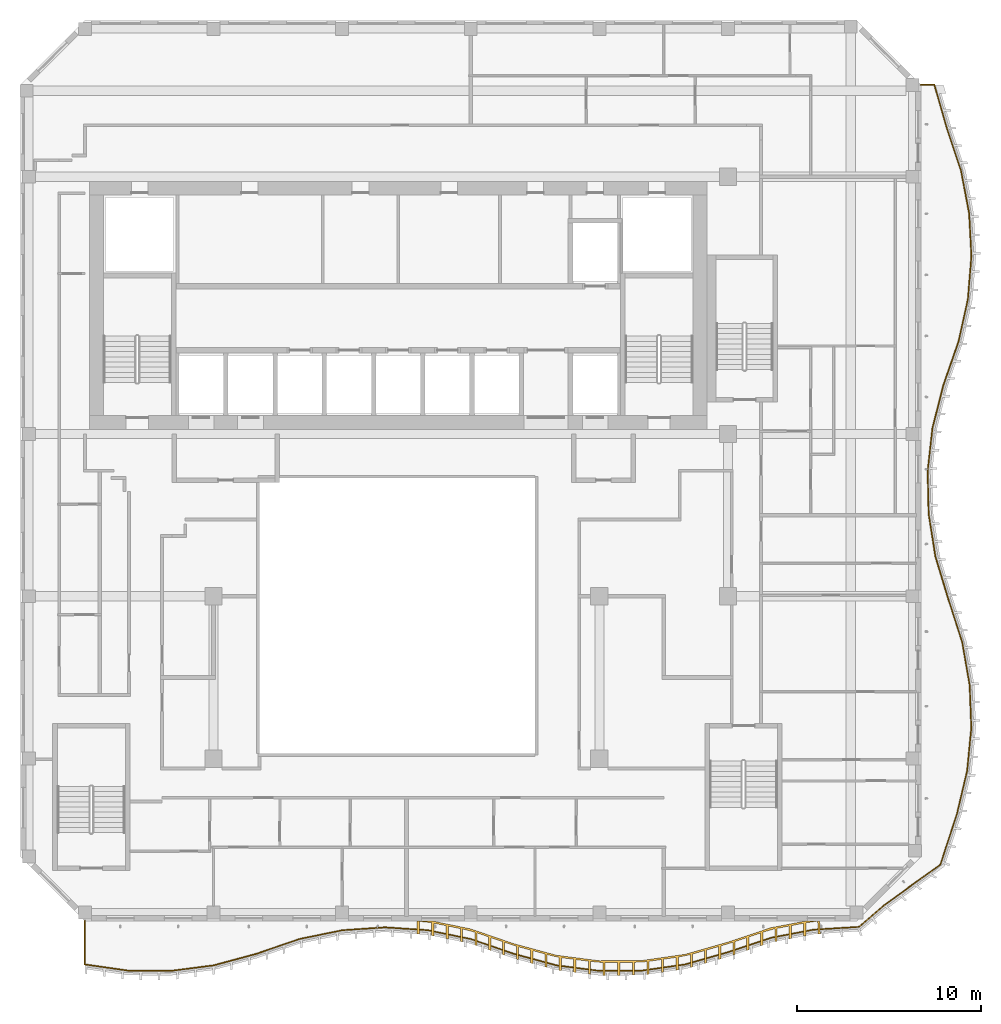
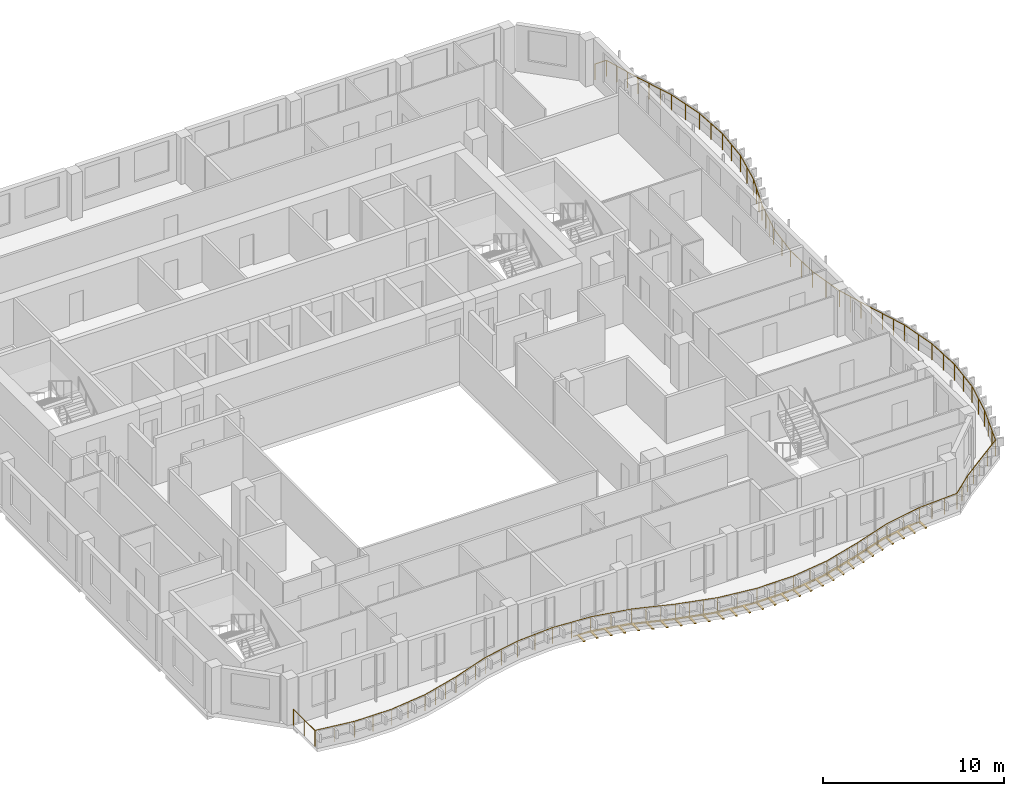
# One storey, part 15 of 18: 1 railing, 1 shading device.
"""IFC4 building model written with IfcOpenShell, lengths in metres."""

from ifc_helpers import new_model, si_unit, direction, frame, origin, origin_2d, place, context, subcontext, project, spatial, polyline, circle, outline, extrude, source, transform, mapped, material, layer, layer_set, type_object, element, save


model = new_model("IFC4")

# Units and contexts
model_context = context("Model", 3, precision=1e-05, world=origin(), true_north=direction((0.0, 1.0)))
body_context = subcontext(model_context, "Body", "Model", "MODEL_VIEW")
ifc_project = project(units=[si_unit("LENGTHUNIT", "METRE"), si_unit("AREAUNIT", "SQUARE_METRE"), si_unit("VOLUMEUNIT", "CUBIC_METRE"), si_unit("PLANEANGLEUNIT", "RADIAN"), si_unit("MASSUNIT", "GRAM", prefix="KILO")], contexts=[model_context])

# Site, building, storey
site_placement = place(None, origin())
site = spatial("IfcSite", under=ifc_project, at=site_placement, CompositionType="ELEMENT")
building_placement = place(site_placement, origin())
building = spatial("IfcBuilding", under=site, at=building_placement, Name="Kilnfold Tower and Market Hall", CompositionType="ELEMENT")
storey_placement = place(building_placement, frame((0.0, 0.0, 249.199951171875)))
storey = spatial("IfcBuildingStorey", under=building, at=storey_placement, Name="L60", CompositionType="ELEMENT", Elevation=249.199951171875)

# Railing
ifc_material_1 = material(Name="Stainless steel and laminated glass", Category="steel")
railing_type = type_object("IfcRailingType", Name="GUARD 1100", PredefinedType="GUARDRAIL", material=ifc_material_1)
railing_placement = place(storey_placement, frame((-16.0, -18.5, 0.0)))
element("IfcRailing", 1, at=railing_placement, inside=storey, type_object=railing_type, Name="Guard balcony L60", PredefinedType="GUARDRAIL", context=body_context, shape_type="SweptSolid", body=[
    extrude(circle(Radius=0.02490234375, at=origin_2d()), frame((0.0, 0.0, 1.0751953125), z_axis=(0.0, -1.0, 0.0), x_axis=(1.0, 0.0, 0.0)), (0.0, 0.0, 1.0), 2.367431640625),
    extrude(circle(Radius=0.02490234375, at=origin_2d()), frame((0.0, -2.367431640625, 1.0751953125), z_axis=(0.989895561273, -0.141798370135, 0.0), x_axis=(0.141798370135, 0.989895561273, 0.0)), (0.0, 0.0, 1.0), 2.357177734375),
    extrude(circle(Radius=0.02490234375, at=origin_2d()), frame((2.333251953125, -2.70166015625, 1.0751953125), z_axis=(0.999971628489, -0.007532742964, 0.0), x_axis=(0.007532742964, 0.999971628489, 0.0)), (0.0, 0.0, 1.0), 2.33349609375),
    extrude(circle(Radius=0.02490234375, at=origin_2d()), frame((4.666748046875, -2.71923828125, 1.0751953125), z_axis=(0.99192423952, 0.126831790383, 0.0), x_axis=(-0.126831790383, 0.99192423952, 0.0)), (0.0, 0.0, 1.0), 2.352294921875),
    extrude(circle(Radius=0.02490234375, at=origin_2d()), frame((7.0, -2.4208984375, 1.0751953125), z_axis=(0.965337259398, 0.261005700354, 0.0), x_axis=(-0.261005700354, 0.965337259398, 0.0)), (0.0, 0.0, 1.0), 2.4169921875),
    extrude(circle(Radius=0.02490234375, at=origin_2d()), frame((9.333251953125, -1.7900390625, 1.0751953125), z_axis=(0.945673291231, 0.325118480329, 0.0), x_axis=(-0.325118480329, 0.945673291231, 0.0)), (0.0, 0.0, 1.0), 2.467529296875),
    extrude(circle(Radius=0.02490234375, at=origin_2d()), frame((11.666748046875, -0.98779296875, 1.0751953125), z_axis=(0.979469543954, 0.201592193466, 0.0), x_axis=(-0.201592193466, 0.979469543954, 0.0)), (0.0, 0.0, 1.0), 2.382080078125),
    extrude(circle(Radius=0.02490234375, at=origin_2d()), frame((14.0, -0.507568359375, 1.0751953125), z_axis=(0.99773031424, 0.06733661742, 0.0), x_axis=(-0.06733661742, 0.99773031424, 0.0)), (0.0, 0.0, 1.0), 2.338623046875),
    extrude(circle(Radius=0.02490234375, at=origin_2d()), frame((16.333251953125, -0.35009765625, 1.0751953125), z_axis=(0.997765715392, -0.066810008145, 0.0), x_axis=(0.066810008145, 0.997765715392, 0.0)), (0.0, 0.0, 1.0), 2.338623046875),
    extrude(circle(Radius=0.02490234375, at=origin_2d()), frame((18.666748046875, -0.50634765625, 1.0751953125), z_axis=(0.979550417404, -0.201198856269, 0.0), x_axis=(0.201198856269, 0.979550417404, 0.0)), (0.0, 0.0, 1.0), 2.382080078125),
    extrude(circle(Radius=0.02490234375, at=origin_2d()), frame((21.0, -0.985595703125, 1.0751953125), z_axis=(0.945754078671, -0.324883398585, 0.0), x_axis=(0.324883398585, 0.945754078671, 0.0)), (0.0, 0.0, 1.0), 2.467041015625),
    extrude(circle(Radius=0.02490234375, at=origin_2d()), frame((23.333251953125, -1.787109375, 1.0751953125), z_axis=(0.965216815859, -0.261450757089, 0.0), x_axis=(0.261450757089, 0.965216815859, 0.0)), (0.0, 0.0, 1.0), 2.41748046875),
    extrude(circle(Radius=0.02490234375, at=origin_2d()), frame((25.666748046875, -2.419189453125, 1.0751953125), z_axis=(0.991871927753, -0.12724024102, 0.0), x_axis=(0.12724024102, 0.991871927753, 0.0)), (0.0, 0.0, 1.0), 2.352294921875),
    extrude(circle(Radius=0.02490234375, at=origin_2d()), frame((28.0, -2.718505859375, 1.0751953125), z_axis=(0.999976154899, 0.006905768151, 0.0), x_axis=(-0.006905768151, 0.999976154899, 0.0)), (0.0, 0.0, 1.0), 2.333251953125),
    extrude(circle(Radius=0.02490234375, at=origin_2d()), frame((30.333251953125, -2.702392578125, 1.0751953125), z_axis=(0.989970198048, 0.141276349669, 0.0), x_axis=(-0.141276349669, 0.989970198048, 0.0)), (0.0, 0.0, 1.0), 2.357177734375),
    extrude(circle(Radius=0.02490234375, at=origin_2d()), frame((32.666748046875, -2.369384765625, 1.0751953125), z_axis=(0.961273038942, 0.275597794988, 0.0), x_axis=(-0.275597794988, 0.961273038942, 0.0)), (0.0, 0.0, 1.0), 2.42724609375),
    extrude(circle(Radius=0.02490234375, at=origin_2d()), frame((35.0, -1.700439453125, 1.0751953125), z_axis=(0.948315517581, 0.317328976167, 0.0), x_axis=(-0.317328976167, 0.948315517581, 0.0)), (0.0, 0.0, 1.0), 2.46044921875),
    extrude(circle(Radius=0.02490234375, at=origin_2d()), frame((37.333251953125, -0.919677734375, 1.0751953125), z_axis=(0.982349359821, 0.187055433655, 0.0), x_axis=(-0.187055433655, 0.982349359821, 0.0)), (0.0, 0.0, 1.0), 2.37548828125),
    extrude(circle(Radius=0.02490234375, at=origin_2d()), frame((39.666748046875, -0.475341796875, 1.0751953125), z_axis=(0.998148203241, 0.060828976375, 0.0), x_axis=(-0.060828976375, 0.998148203241, 0.0)), (0.0, 0.0, 1.0), 2.472412109375),
    extrude(circle(Radius=0.02490234375, at=origin_2d()), frame((42.134521484375, -0.324951171875, 1.0751953125), z_axis=(0.756166085744, 0.654379745079, 0.0), x_axis=(-0.654379745079, 0.756166085744, 0.0)), (0.0, 0.0, 1.0), 1.789306640625),
    extrude(circle(Radius=0.02490234375, at=origin_2d()), frame((43.487548828125, 0.845947265625, 1.0751953125), z_axis=(0.809045692542, 0.587745750626, 0.0), x_axis=(-0.587745750626, 0.809045692542, 0.0)), (0.0, 0.0, 1.0), 1.670166015625),
    extrude(circle(Radius=0.02490234375, at=origin_2d()), frame((44.8388671875, 1.82763671875, 1.0751953125), z_axis=(0.81192818967, 0.583757325281, 0.0), x_axis=(-0.583757325281, 0.81192818967, 0.0)), (0.0, 0.0, 1.0), 2.115478515625),
    extrude(circle(Radius=0.02490234375, at=origin_2d()), frame((46.556396484375, 3.0625, 1.0751953125), z_axis=(0.311098196184, 0.950377773483, 0.0), x_axis=(-0.950377773483, 0.311098196184, 0.0)), (0.0, 0.0, 1.0), 2.91552734375),
    extrude(circle(Radius=0.02490234375, at=origin_2d()), frame((47.46337890625, 5.833251953125, 1.0751953125), z_axis=(0.230684535905, 0.973028594078, 0.0), x_axis=(-0.973028594078, 0.230684535905, 0.0)), (0.0, 0.0, 1.0), 2.398193359375),
    extrude(circle(Radius=0.02490234375, at=origin_2d()), frame((48.0166015625, 8.166748046875, 1.0751953125), z_axis=(0.09644068921, 0.995338733027, 0.0), x_axis=(-0.995338733027, 0.09644068921, 0.0)), (0.0, 0.0, 1.0), 2.34423828125),
    extrude(circle(Radius=0.02490234375, at=origin_2d()), frame((48.24267578125, 10.5, 1.0751953125), z_axis=(-0.037850851806, 0.999283399751, 0.0), x_axis=(-0.999283399751, -0.037850851806, 0.0)), (0.0, 0.0, 1.0), 2.3349609375),
    extrude(circle(Radius=0.02490234375, at=origin_2d()), frame((48.154296875, 12.833251953125, 1.0751953125), z_axis=(-0.172115324053, 0.985076806765, 0.0), x_axis=(-0.985076806765, -0.172115324053, 0.0)), (0.0, 0.0, 1.0), 2.368896484375),
    extrude(circle(Radius=0.02490234375, at=origin_2d()), frame((47.74658203125, 15.166748046875, 1.0751953125), z_axis=(-0.305928563149, 0.952054470211, 0.0), x_axis=(-0.952054470211, -0.305928563149, 0.0)), (0.0, 0.0, 1.0), 2.45068359375),
    extrude(circle(Radius=0.02490234375, at=origin_2d()), frame((46.996826171875, 17.5, 1.0751953125), z_axis=(-0.290551994685, 0.9568592051, 0.0), x_axis=(-0.9568592051, -0.290551994685, 0.0)), (0.0, 0.0, 1.0), 2.4384765625),
    extrude(circle(Radius=0.02490234375, at=origin_2d()), frame((46.288330078125, 19.833251953125, 1.0751953125), z_axis=(-0.156249124184, 0.987717677878, 0.0), x_axis=(-0.987717677878, -0.156249124184, 0.0)), (0.0, 0.0, 1.0), 2.362548828125),
    extrude(circle(Radius=0.02490234375, at=origin_2d()), frame((45.919189453125, 22.166748046875, 1.0751953125), z_axis=(-0.022072679063, 0.999756368741, 0.0), x_axis=(-0.999756368741, -0.022072679063, 0.0)), (0.0, 0.0, 1.0), 2.333740234375),
    extrude(circle(Radius=0.02490234375, at=origin_2d()), frame((45.86767578125, 24.5, 1.0751953125), z_axis=(0.112188780703, 0.993686911197, 0.0), x_axis=(-0.993686911197, 0.112188780703, 0.0)), (0.0, 0.0, 1.0), 2.34814453125),
    extrude(circle(Radius=0.02490234375, at=origin_2d()), frame((46.131103515625, 26.833251953125, 1.0751953125), z_axis=(0.246494018044, 0.969144312819, 0.0), x_axis=(-0.969144312819, 0.246494018044, 0.0)), (0.0, 0.0, 1.0), 2.40771484375),
    extrude(circle(Radius=0.02490234375, at=origin_2d()), frame((46.724609375, 29.166748046875, 1.0751953125), z_axis=(0.329826773336, 0.94404147133, 0.0), x_axis=(-0.94404147133, 0.329826773336, 0.0)), (0.0, 0.0, 1.0), 2.471435546875),
    extrude(circle(Radius=0.02490234375, at=origin_2d()), frame((47.539794921875, 31.5, 1.0751953125), z_axis=(0.216173197439, 0.976355032101, 0.0), x_axis=(-0.976355032101, 0.216173197439, 0.0)), (0.0, 0.0, 1.0), 2.3896484375),
    extrude(circle(Radius=0.02490234375, at=origin_2d()), frame((48.056396484375, 33.833251953125, 1.0751953125), z_axis=(0.081854547458, 0.996644286122, 0.0), x_axis=(-0.996644286122, 0.081854547458, 0.0)), (0.0, 0.0, 1.0), 2.34130859375),
    extrude(circle(Radius=0.02490234375, at=origin_2d()), frame((48.248046875, 36.166748046875, 1.0751953125), z_axis=(-0.052350425547, 0.998628776345, 0.0), x_axis=(-0.998628776345, -0.052350425547, 0.0)), (0.0, 0.0, 1.0), 2.33642578125),
    extrude(circle(Radius=0.02490234375, at=origin_2d()), frame((48.125732421875, 38.5, 1.0751953125), z_axis=(-0.186578295678, 0.982440094653, 0.0), x_axis=(-0.982440094653, -0.186578295678, 0.0)), (0.0, 0.0, 1.0), 2.375),
    extrude(circle(Radius=0.02490234375, at=origin_2d()), frame((47.6826171875, 40.833251953125, 1.0751953125), z_axis=(-0.317031394089, 0.948415043724, 0.0), x_axis=(-0.948415043724, -0.317031394089, 0.0)), (0.0, 0.0, 1.0), 2.46044921875),
    extrude(circle(Radius=0.02490234375, at=origin_2d()), frame((46.902587890625, 43.166748046875, 1.0751953125), z_axis=(-0.276062415489, 0.96113971032, 0.0), x_axis=(-0.96113971032, -0.276062415489, 0.0)), (0.0, 0.0, 1.0), 2.427490234375),
    extrude(circle(Radius=0.02490234375, at=origin_2d()), frame((46.232421875, 45.5, 1.0751953125), z_axis=(-1.0, 0.0, 0.0), x_axis=(0.0, -1.0, 0.0)), (0.0, 0.0, 1.0), 0.732421875),
    extrude(circle(Radius=0.02490234375, at=origin_2d()), origin(), (0.0, 0.0, 1.0), 1.050048828125),
    extrude(circle(Radius=0.02490234375, at=origin_2d()), frame((0.0, -1.18359375, 0.0)), (0.0, 0.0, 1.0), 1.050048828125),
    extrude(circle(Radius=0.02490234375, at=origin_2d()), frame((0.0, -2.367431640625, 0.0)), (0.0, 0.0, 1.0), 1.050048828125),
    extrude(circle(Radius=0.02490234375, at=origin_2d()), frame((1.16650390625, -2.53466796875, 0.0)), (0.0, 0.0, 1.0), 1.050048828125),
    extrude(circle(Radius=0.02490234375, at=origin_2d()), frame((2.333251953125, -2.70166015625, 0.0)), (0.0, 0.0, 1.0), 1.050048828125),
    extrude(circle(Radius=0.02490234375, at=origin_2d()), frame((3.5, -2.71044921875, 0.0)), (0.0, 0.0, 1.0), 1.050048828125),
    extrude(circle(Radius=0.02490234375, at=origin_2d()), frame((4.666748046875, -2.71923828125, 0.0)), (0.0, 0.0, 1.0), 1.050048828125),
    extrude(circle(Radius=0.02490234375, at=origin_2d()), frame((5.83349609375, -2.570068359375, 0.0)), (0.0, 0.0, 1.0), 1.050048828125),
    extrude(circle(Radius=0.02490234375, at=origin_2d()), frame((7.0, -2.4208984375, 0.0)), (0.0, 0.0, 1.0), 1.050048828125),
    extrude(circle(Radius=0.02490234375, at=origin_2d()), frame((7.77783203125, -2.210693359375, 0.0)), (0.0, 0.0, 1.0), 1.050048828125),
    extrude(circle(Radius=0.02490234375, at=origin_2d()), frame((8.555419921875, -2.000244140625, 0.0)), (0.0, 0.0, 1.0), 1.050048828125),
    extrude(circle(Radius=0.02490234375, at=origin_2d()), frame((9.333251953125, -1.7900390625, 0.0)), (0.0, 0.0, 1.0), 1.050048828125),
    extrude(circle(Radius=0.02490234375, at=origin_2d()), frame((10.111083984375, -1.522705078125, 0.0)), (0.0, 0.0, 1.0), 1.050048828125),
    extrude(circle(Radius=0.02490234375, at=origin_2d()), frame((10.888916015625, -1.255126953125, 0.0)), (0.0, 0.0, 1.0), 1.050048828125),
    extrude(circle(Radius=0.02490234375, at=origin_2d()), frame((11.666748046875, -0.98779296875, 0.0)), (0.0, 0.0, 1.0), 1.050048828125),
    extrude(circle(Radius=0.02490234375, at=origin_2d()), frame((12.83349609375, -0.74755859375, 0.0)), (0.0, 0.0, 1.0), 1.050048828125),
    extrude(circle(Radius=0.02490234375, at=origin_2d()), frame((14.0, -0.507568359375, 0.0)), (0.0, 0.0, 1.0), 1.050048828125),
    extrude(circle(Radius=0.02490234375, at=origin_2d()), frame((15.16650390625, -0.4287109375, 0.0)), (0.0, 0.0, 1.0), 1.050048828125),
    extrude(circle(Radius=0.02490234375, at=origin_2d()), frame((16.333251953125, -0.35009765625, 0.0)), (0.0, 0.0, 1.0), 1.050048828125),
    extrude(circle(Radius=0.02490234375, at=origin_2d()), frame((17.5, -0.42822265625, 0.0)), (0.0, 0.0, 1.0), 1.050048828125),
    extrude(circle(Radius=0.02490234375, at=origin_2d()), frame((18.666748046875, -0.50634765625, 0.0)), (0.0, 0.0, 1.0), 1.050048828125),
    extrude(circle(Radius=0.02490234375, at=origin_2d()), frame((19.83349609375, -0.74609375, 0.0)), (0.0, 0.0, 1.0), 1.050048828125),
    extrude(circle(Radius=0.02490234375, at=origin_2d()), frame((21.0, -0.985595703125, 0.0)), (0.0, 0.0, 1.0), 1.050048828125),
    extrude(circle(Radius=0.02490234375, at=origin_2d()), frame((21.77783203125, -1.252685546875, 0.0)), (0.0, 0.0, 1.0), 1.050048828125),
    extrude(circle(Radius=0.02490234375, at=origin_2d()), frame((22.555419921875, -1.52001953125, 0.0)), (0.0, 0.0, 1.0), 1.050048828125),
    extrude(circle(Radius=0.02490234375, at=origin_2d()), frame((23.333251953125, -1.787109375, 0.0)), (0.0, 0.0, 1.0), 1.050048828125),
    extrude(circle(Radius=0.02490234375, at=origin_2d()), frame((24.111083984375, -1.997802734375, 0.0)), (0.0, 0.0, 1.0), 1.050048828125),
    extrude(circle(Radius=0.02490234375, at=origin_2d()), frame((24.888916015625, -2.20849609375, 0.0)), (0.0, 0.0, 1.0), 1.050048828125),
    extrude(circle(Radius=0.02490234375, at=origin_2d()), frame((25.666748046875, -2.419189453125, 0.0)), (0.0, 0.0, 1.0), 1.050048828125),
    extrude(circle(Radius=0.02490234375, at=origin_2d()), frame((26.83349609375, -2.56884765625, 0.0)), (0.0, 0.0, 1.0), 1.050048828125),
    extrude(circle(Radius=0.02490234375, at=origin_2d()), frame((28.0, -2.718505859375, 0.0)), (0.0, 0.0, 1.0), 1.050048828125),
    extrude(circle(Radius=0.02490234375, at=origin_2d()), frame((29.16650390625, -2.71044921875, 0.0)), (0.0, 0.0, 1.0), 1.050048828125),
    extrude(circle(Radius=0.02490234375, at=origin_2d()), frame((30.333251953125, -2.702392578125, 0.0)), (0.0, 0.0, 1.0), 1.050048828125),
    extrude(circle(Radius=0.02490234375, at=origin_2d()), frame((31.5, -2.535888671875, 0.0)), (0.0, 0.0, 1.0), 1.050048828125),
    extrude(circle(Radius=0.02490234375, at=origin_2d()), frame((32.666748046875, -2.369384765625, 0.0)), (0.0, 0.0, 1.0), 1.050048828125),
    extrude(circle(Radius=0.02490234375, at=origin_2d()), frame((33.444580078125, -2.146484375, 0.0)), (0.0, 0.0, 1.0), 1.050048828125),
    extrude(circle(Radius=0.02490234375, at=origin_2d()), frame((34.22216796875, -1.92333984375, 0.0)), (0.0, 0.0, 1.0), 1.050048828125),
    extrude(circle(Radius=0.02490234375, at=origin_2d()), frame((35.0, -1.700439453125, 0.0)), (0.0, 0.0, 1.0), 1.050048828125),
    extrude(circle(Radius=0.02490234375, at=origin_2d()), frame((35.77783203125, -1.440185546875, 0.0)), (0.0, 0.0, 1.0), 1.050048828125),
    extrude(circle(Radius=0.02490234375, at=origin_2d()), frame((36.555419921875, -1.179931640625, 0.0)), (0.0, 0.0, 1.0), 1.050048828125),
    extrude(circle(Radius=0.02490234375, at=origin_2d()), frame((37.333251953125, -0.919677734375, 0.0)), (0.0, 0.0, 1.0), 1.050048828125),
    extrude(circle(Radius=0.02490234375, at=origin_2d()), frame((38.5, -0.697509765625, 0.0)), (0.0, 0.0, 1.0), 1.050048828125),
    extrude(circle(Radius=0.02490234375, at=origin_2d()), frame((39.666748046875, -0.475341796875, 0.0)), (0.0, 0.0, 1.0), 1.050048828125),
    extrude(circle(Radius=0.02490234375, at=origin_2d()), frame((40.4892578125, -0.42529296875, 0.0)), (0.0, 0.0, 1.0), 1.050048828125),
    extrude(circle(Radius=0.02490234375, at=origin_2d()), frame((41.31201171875, -0.375, 0.0)), (0.0, 0.0, 1.0), 1.050048828125),
    extrude(circle(Radius=0.02490234375, at=origin_2d()), frame((42.134521484375, -0.324951171875, 0.0)), (0.0, 0.0, 1.0), 1.050048828125),
    extrude(circle(Radius=0.02490234375, at=origin_2d()), frame((42.81103515625, 0.260498046875, 0.0)), (0.0, 0.0, 1.0), 1.050048828125),
    extrude(circle(Radius=0.02490234375, at=origin_2d()), frame((43.487548828125, 0.845947265625, 0.0)), (0.0, 0.0, 1.0), 1.050048828125),
    extrude(circle(Radius=0.02490234375, at=origin_2d()), frame((44.1630859375, 1.3369140625, 0.0)), (0.0, 0.0, 1.0), 1.050048828125),
    extrude(circle(Radius=0.02490234375, at=origin_2d()), frame((44.8388671875, 1.82763671875, 0.0)), (0.0, 0.0, 1.0), 1.050048828125),
    extrude(circle(Radius=0.02490234375, at=origin_2d()), frame((45.69775390625, 2.445068359375, 0.0)), (0.0, 0.0, 1.0), 1.050048828125),
    extrude(circle(Radius=0.02490234375, at=origin_2d()), frame((46.556396484375, 3.0625, 0.0)), (0.0, 0.0, 1.0), 1.050048828125),
    extrude(circle(Radius=0.02490234375, at=origin_2d()), frame((46.858642578125, 3.986083984375, 0.0)), (0.0, 0.0, 1.0), 1.050048828125),
    extrude(circle(Radius=0.02490234375, at=origin_2d()), frame((47.1611328125, 4.90966796875, 0.0)), (0.0, 0.0, 1.0), 1.050048828125),
    extrude(circle(Radius=0.02490234375, at=origin_2d()), frame((47.46337890625, 5.833251953125, 0.0)), (0.0, 0.0, 1.0), 1.050048828125),
    extrude(circle(Radius=0.02490234375, at=origin_2d()), frame((47.739990234375, 7.0, 0.0)), (0.0, 0.0, 1.0), 1.050048828125),
    extrude(circle(Radius=0.02490234375, at=origin_2d()), frame((48.0166015625, 8.166748046875, 0.0)), (0.0, 0.0, 1.0), 1.050048828125),
    extrude(circle(Radius=0.02490234375, at=origin_2d()), frame((48.129638671875, 9.33349609375, 0.0)), (0.0, 0.0, 1.0), 1.050048828125),
    extrude(circle(Radius=0.02490234375, at=origin_2d()), frame((48.24267578125, 10.5, 0.0)), (0.0, 0.0, 1.0), 1.050048828125),
    extrude(circle(Radius=0.02490234375, at=origin_2d()), frame((48.198486328125, 11.66650390625, 0.0)), (0.0, 0.0, 1.0), 1.050048828125),
    extrude(circle(Radius=0.02490234375, at=origin_2d()), frame((48.154296875, 12.833251953125, 0.0)), (0.0, 0.0, 1.0), 1.050048828125),
    extrude(circle(Radius=0.02490234375, at=origin_2d()), frame((47.950439453125, 14.0, 0.0)), (0.0, 0.0, 1.0), 1.050048828125),
    extrude(circle(Radius=0.02490234375, at=origin_2d()), frame((47.74658203125, 15.166748046875, 0.0)), (0.0, 0.0, 1.0), 1.050048828125),
    extrude(circle(Radius=0.02490234375, at=origin_2d()), frame((47.49658203125, 15.944580078125, 0.0)), (0.0, 0.0, 1.0), 1.050048828125),
    extrude(circle(Radius=0.02490234375, at=origin_2d()), frame((47.246826171875, 16.72216796875, 0.0)), (0.0, 0.0, 1.0), 1.050048828125),
    extrude(circle(Radius=0.02490234375, at=origin_2d()), frame((46.996826171875, 17.5, 0.0)), (0.0, 0.0, 1.0), 1.050048828125),
    extrude(circle(Radius=0.02490234375, at=origin_2d()), frame((46.7607421875, 18.27783203125, 0.0)), (0.0, 0.0, 1.0), 1.050048828125),
    extrude(circle(Radius=0.02490234375, at=origin_2d()), frame((46.5244140625, 19.055419921875, 0.0)), (0.0, 0.0, 1.0), 1.050048828125),
    extrude(circle(Radius=0.02490234375, at=origin_2d()), frame((46.288330078125, 19.833251953125, 0.0)), (0.0, 0.0, 1.0), 1.050048828125),
    extrude(circle(Radius=0.02490234375, at=origin_2d()), frame((46.103759765625, 21.0, 0.0)), (0.0, 0.0, 1.0), 1.050048828125),
    extrude(circle(Radius=0.02490234375, at=origin_2d()), frame((45.919189453125, 22.166748046875, 0.0)), (0.0, 0.0, 1.0), 1.050048828125),
    extrude(circle(Radius=0.02490234375, at=origin_2d()), frame((45.8935546875, 23.33349609375, 0.0)), (0.0, 0.0, 1.0), 1.050048828125),
    extrude(circle(Radius=0.02490234375, at=origin_2d()), frame((45.86767578125, 24.5, 0.0)), (0.0, 0.0, 1.0), 1.050048828125),
    extrude(circle(Radius=0.02490234375, at=origin_2d()), frame((45.99951171875, 25.66650390625, 0.0)), (0.0, 0.0, 1.0), 1.050048828125),
    extrude(circle(Radius=0.02490234375, at=origin_2d()), frame((46.131103515625, 26.833251953125, 0.0)), (0.0, 0.0, 1.0), 1.050048828125),
    extrude(circle(Radius=0.02490234375, at=origin_2d()), frame((46.328857421875, 27.611083984375, 0.0)), (0.0, 0.0, 1.0), 1.050048828125),
    extrude(circle(Radius=0.02490234375, at=origin_2d()), frame((46.52685546875, 28.388916015625, 0.0)), (0.0, 0.0, 1.0), 1.050048828125),
    extrude(circle(Radius=0.02490234375, at=origin_2d()), frame((46.724609375, 29.166748046875, 0.0)), (0.0, 0.0, 1.0), 1.050048828125),
    extrude(circle(Radius=0.02490234375, at=origin_2d()), frame((46.996337890625, 29.944580078125, 0.0)), (0.0, 0.0, 1.0), 1.050048828125),
    extrude(circle(Radius=0.02490234375, at=origin_2d()), frame((47.26806640625, 30.72216796875, 0.0)), (0.0, 0.0, 1.0), 1.050048828125),
    extrude(circle(Radius=0.02490234375, at=origin_2d()), frame((47.539794921875, 31.5, 0.0)), (0.0, 0.0, 1.0), 1.050048828125),
    extrude(circle(Radius=0.02490234375, at=origin_2d()), frame((47.798095703125, 32.66650390625, 0.0)), (0.0, 0.0, 1.0), 1.050048828125),
    extrude(circle(Radius=0.02490234375, at=origin_2d()), frame((48.056396484375, 33.833251953125, 0.0)), (0.0, 0.0, 1.0), 1.050048828125),
    extrude(circle(Radius=0.02490234375, at=origin_2d()), frame((48.15234375, 35.0, 0.0)), (0.0, 0.0, 1.0), 1.050048828125),
    extrude(circle(Radius=0.02490234375, at=origin_2d()), frame((48.248046875, 36.166748046875, 0.0)), (0.0, 0.0, 1.0), 1.050048828125),
    extrude(circle(Radius=0.02490234375, at=origin_2d()), frame((48.18701171875, 37.33349609375, 0.0)), (0.0, 0.0, 1.0), 1.050048828125),
    extrude(circle(Radius=0.02490234375, at=origin_2d()), frame((48.125732421875, 38.5, 0.0)), (0.0, 0.0, 1.0), 1.050048828125),
    extrude(circle(Radius=0.02490234375, at=origin_2d()), frame((47.904296875, 39.66650390625, 0.0)), (0.0, 0.0, 1.0), 1.050048828125),
    extrude(circle(Radius=0.02490234375, at=origin_2d()), frame((47.6826171875, 40.833251953125, 0.0)), (0.0, 0.0, 1.0), 1.050048828125),
    extrude(circle(Radius=0.02490234375, at=origin_2d()), frame((47.422607421875, 41.611083984375, 0.0)), (0.0, 0.0, 1.0), 1.050048828125),
    extrude(circle(Radius=0.02490234375, at=origin_2d()), frame((47.16259765625, 42.388916015625, 0.0)), (0.0, 0.0, 1.0), 1.050048828125),
    extrude(circle(Radius=0.02490234375, at=origin_2d()), frame((46.902587890625, 43.166748046875, 0.0)), (0.0, 0.0, 1.0), 1.050048828125),
    extrude(circle(Radius=0.02490234375, at=origin_2d()), frame((46.67919921875, 43.944580078125, 0.0)), (0.0, 0.0, 1.0), 1.050048828125),
    extrude(circle(Radius=0.02490234375, at=origin_2d()), frame((46.455810546875, 44.72216796875, 0.0)), (0.0, 0.0, 1.0), 1.050048828125),
    extrude(circle(Radius=0.02490234375, at=origin_2d()), frame((46.232421875, 45.5, 0.0)), (0.0, 0.0, 1.0), 1.050048828125),
    extrude(circle(Radius=0.02490234375, at=origin_2d()), frame((45.5, 45.5, 0.0)), (0.0, 0.0, 1.0), 1.050048828125),
])

# Shading device
ifc_material_2 = material(Name="Bronze anodised aluminium", Category="aluminium")
ifc_layer = layer(ifc_material_2, 0.080078125)
ifc_layer_set = layer_set([ifc_layer], Name="Bronze anodised aluminium")
shading_device_type = type_object("IfcShadingDeviceType", Name="BRONZE SLAT SOFFIT 80", PredefinedType="USERDEFINED", material=ifc_layer_set)
shared_shape = source(origin(), body_context, "Body", "SweptSolid", [
    extrude(outline(polyline([(5.0, -18.935546875), (7.333251953125, -19.737060546875), (9.666748046875, -20.369384765625), (12.0, -20.668701171875), (14.333251953125, -20.65234375), (16.666748046875, -20.3193359375), (19.0, -19.650390625), (21.333251953125, -18.86962890625), (23.2744140625, -18.5), (24.030517578125, -18.5), (23.988525390625, -18.502685546875), (24.026611328125, -19.201416015625), (23.90673828125, -19.20947265625), (23.881591796875, -18.510009765625), (23.235107421875, -18.607421875), (23.235107421875, -19.3076171875), (23.1171875, -19.330078125), (23.1171875, -18.6298828125), (22.44921875, -18.757080078125), (22.44921875, -19.457275390625), (22.331298828125, -19.4794921875), (22.331298828125, -18.779541015625), (21.663330078125, -18.90673828125), (21.663330078125, -19.606689453125), (21.54541015625, -19.62939453125), (21.54541015625, -18.92919921875), (20.893310546875, -19.116943359375), (20.893310546875, -19.81689453125), (20.779296875, -19.85498046875), (20.779296875, -19.155029296875), (20.134521484375, -19.370849609375), (20.134521484375, -20.07080078125), (20.020751953125, -20.10888671875), (20.020751953125, -19.408935546875), (19.3759765625, -19.624755859375), (19.3759765625, -20.32470703125), (19.26220703125, -20.36279296875), (19.26220703125, -19.662841796875), (18.612060546875, -19.86181640625), (18.612060546875, -20.561767578125), (18.49658203125, -20.5947265625), (18.49658203125, -19.894775390625), (17.843017578125, -20.08203125), (17.843017578125, -20.781982421875), (17.727783203125, -20.815185546875), (17.727783203125, -20.115234375), (17.073974609375, -20.302490234375), (17.073974609375, -21.002685546875), (16.95849609375, -21.03564453125), (16.95849609375, -20.335693359375), (16.294189453125, -20.472412109375), (16.294189453125, -21.172607421875), (16.17529296875, -21.189453125), (16.17529296875, -20.489501953125), (15.502197265625, -20.58544921875), (15.502197265625, -21.285400390625), (15.38330078125, -21.302490234375), (15.38330078125, -20.602294921875), (14.710205078125, -20.698486328125), (14.710205078125, -21.3984375), (14.59130859375, -21.41552734375), (14.59130859375, -20.715576171875), (13.9140625, -20.755126953125), (13.9140625, -21.455078125), (13.7939453125, -21.4560546875), (13.7939453125, -20.756103515625), (13.114013671875, -20.7607421875), (13.114013671875, -21.460693359375), (12.993896484375, -21.461669921875), (12.993896484375, -20.76171875), (12.314208984375, -20.766357421875), (12.314208984375, -21.46630859375), (12.194091796875, -21.46728515625), (12.194091796875, -20.76708984375), (11.51806640625, -20.706787109375), (11.51806640625, -21.40673828125), (11.39892578125, -21.3916015625), (11.39892578125, -20.69140625), (10.724609375, -20.60498046875), (10.724609375, -21.304931640625), (10.60546875, -21.289794921875), (10.60546875, -20.589599609375), (9.930908203125, -20.503173828125), (9.930908203125, -21.203125), (9.81201171875, -21.18798828125), (9.81201171875, -20.48779296875), (9.15185546875, -20.329833984375), (9.15185546875, -21.02978515625), (9.035888671875, -20.998291015625), (9.035888671875, -20.29833984375), (8.379638671875, -20.12060546875), (8.379638671875, -20.820556640625), (8.263916015625, -20.789306640625), (8.263916015625, -20.089111328125), (7.607421875, -19.911376953125), (7.607421875, -20.611328125), (7.49169921875, -20.580078125), (7.49169921875, -19.8798828125), (6.84521484375, -19.66943359375), (6.84521484375, -20.369384765625), (6.731689453125, -20.33056640625), (6.731689453125, -19.630615234375), (6.088623046875, -19.409423828125), (6.088623046875, -20.109619140625), (5.97509765625, -20.070556640625), (5.97509765625, -19.37060546875), (5.33203125, -19.149658203125), (5.33203125, -19.849609375), (5.218505859375, -19.810546875), (5.218505859375, -19.110595703125), (4.560302734375, -18.9453125), (4.560302734375, -19.645263671875), (4.44287109375, -19.62109375), (4.44287109375, -18.921142578125), (3.776611328125, -18.7841796875), (3.776611328125, -19.484375), (3.6591796875, -19.460205078125), (3.6591796875, -18.76025390625), (2.992919921875, -18.623291015625), (2.992919921875, -19.323486328125), (2.87548828125, -19.29931640625), (2.87548828125, -18.599365234375), (2.200927734375, -18.525146484375), (2.200927734375, -19.22509765625), (2.081298828125, -19.21728515625), (2.081298828125, -18.51708984375), (1.8251953125, -18.5), (2.87890625, -18.5), (5.0, -18.935546875)])), origin(), (0.0, 0.0, 1.0), 0.080078125),
])
shading_device_placement = place(storey_placement, frame((0.0, 0.0, -0.300048828125)))
element("IfcShadingDevice", 2, at=shading_device_placement, inside=storey, type_object=shading_device_type, Name="Balcony soffit slats L60", ObjectType="SLAT", PredefinedType="USERDEFINED", context=body_context, shape_type="MappedRepresentation", body=[
    mapped(shared_shape, transform((0.0, 0.0, 0.0))),
])

save(model, "model.ifc")
